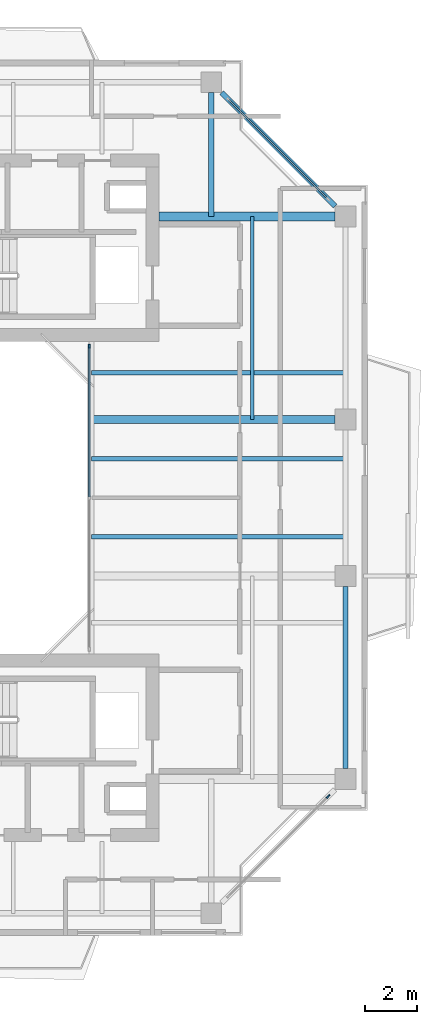
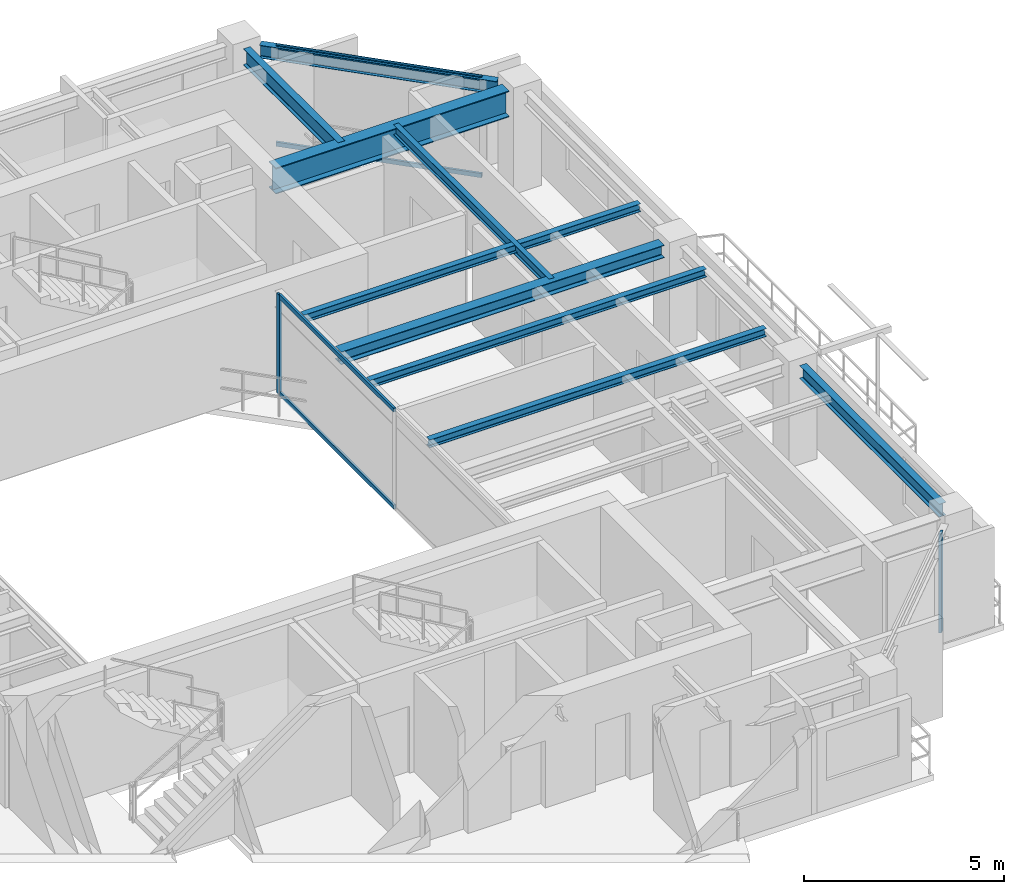
# One storey, part 6 of 16: 9 beams, 6 members, 3 elements without a shape of their own.
"""IFC4 building model written with IfcOpenShell, lengths in metres."""

from ifc_helpers import new_model, si_unit, direction, frame, origin, origin_2d, place, context, subcontext, project, spatial, rectangle, i_section, extrude, source, transform, mapped, material, layer, layer_set, material_profile, profile_set, type_object, element, aggregate, save


model = new_model("IFC4")

# Units and contexts
model_context = context("Model", 3, precision=1e-05, world=origin(), true_north=direction((0.0, 1.0)))
body_context = subcontext(model_context, "Body", "Model", "MODEL_VIEW")
ifc_project = project(units=[si_unit("LENGTHUNIT", "METRE"), si_unit("AREAUNIT", "SQUARE_METRE"), si_unit("VOLUMEUNIT", "CUBIC_METRE"), si_unit("PLANEANGLEUNIT", "RADIAN"), si_unit("MASSUNIT", "GRAM", prefix="KILO"), si_unit("THERMODYNAMICTEMPERATUREUNIT", "KELVIN"), si_unit("POWERUNIT", "WATT")], contexts=[model_context])

# Site, building, storey
site_placement = place(None, origin())
site = spatial("IfcSite", under=ifc_project, at=site_placement, CompositionType="ELEMENT")
building_placement = place(site_placement, origin())
building = spatial("IfcBuilding", under=site, at=building_placement, Name="Qiaomeng Ring Towers", CompositionType="ELEMENT")
storey_placement = place(building_placement, frame((0.0, 0.0, 229.5)))
storey = spatial("IfcBuildingStorey", under=building, at=storey_placement, Name="L67", CompositionType="ELEMENT", Elevation=229.5)

# Beams
ifc_material_1 = material(Name="Steel Q355B", Category="steel")
ifc_material_profile_1 = material_profile(ifc_material_1, i_section(OverallWidth=0.198974609375, OverallDepth=0.39599609375, WebThickness=0.007080078125, FlangeThickness=0.010986328125, FilletRadius=0.01611328125, at=origin_2d()), Name="HN 396x199x7x11")
ifc_profile_set_1 = profile_set([ifc_material_profile_1], Name="Steel Q355B")
beam_type_1 = type_object("IfcBeamType", Name="STR-BM-HN396", PredefinedType="SPANDREL", material=ifc_profile_set_1)
shared_shape_1 = source(origin(), body_context, "Body", "SweptSolid", [
    extrude(i_section(OverallWidth=0.198974609375, OverallDepth=0.39599609375, WebThickness=0.007080078125, FlangeThickness=0.010986328125, FilletRadius=0.01611328125, at=origin_2d()), origin(), (0.0, 0.0, 1.0), 6.154052734375),
])
beam_1_placement = place(storey_placement, frame((34.55078125, 34.19921875, 2.83203125), z_axis=(-0.707106781187, 0.707106781187, 0.0), x_axis=(-0.707106781187, -0.707106781187, 0.0)))
element("IfcBeam", 1, at=beam_1_placement, inside=storey, type_object=beam_type_1, Name="L67 beam STR-SP-L67-T1-E4-N2", PredefinedType="SPANDREL", context=body_context, shape_type="MappedRepresentation", body=[
    mapped(shared_shape_1, transform((0.0, 0.0, 0.0), x_axis=(1.0, 0.0, 0.0), y_axis=(0.0, 1.0, 0.0), z_axis=(0.0, 0.0, 1.0), scale=1.0)),
])
shared_shape_2 = source(origin(), body_context, "Body", "SweptSolid", [
    extrude(i_section(OverallWidth=0.198974609375, OverallDepth=0.39599609375, WebThickness=0.007080078125, FlangeThickness=0.010986328125, FilletRadius=0.01611328125, at=origin_2d()), origin(), (0.0, 0.0, 1.0), 7.001953125),
])
beam_2_placement = place(storey_placement, frame((34.949951171875, 12.59912109375, 2.83203125), z_axis=(0.0, 1.0, 0.0), x_axis=(-1.0, 0.0, 0.0)))
element("IfcBeam", 2, at=beam_2_placement, inside=storey, type_object=beam_type_1, Name="L67 beam STR-SP-L67-T1-E1-E2", PredefinedType="SPANDREL", context=body_context, shape_type="MappedRepresentation", body=[
    mapped(shared_shape_2, transform((0.0, 0.0, 0.0), x_axis=(1.0, 0.0, 0.0), y_axis=(0.0, 1.0, 0.0), z_axis=(0.0, 0.0, 1.0), scale=1.0)),
])
ifc_material_2 = material(Name="Steel Q390GJC", Category="steel")
ifc_material_profile_2 = material_profile(ifc_material_2, i_section(OverallWidth=0.35009765625, OverallDepth=0.800048828125, WebThickness=0.01611328125, FlangeThickness=0.028076171875, at=origin_2d()), Name="WH 800x350x16x28")
ifc_profile_set_2 = profile_set([ifc_material_profile_2], Name="Steel Q390GJC")
beam_type_2 = type_object("IfcBeamType", Name="STR-BM-WH800", PredefinedType="BEAM", material=ifc_profile_set_2)
shared_shape_3 = source(origin(), body_context, "Body", "SweptSolid", [
    extrude(i_section(OverallWidth=0.35009765625, OverallDepth=0.800048828125, WebThickness=0.01611328125, FlangeThickness=0.028076171875, at=origin_2d()), origin(), (0.0, 0.0, 1.0), 6.7509765625),
])
beam_3_placement = place(storey_placement, frame((27.800048828125, 33.800048828125, 2.6298828125), z_axis=(1.0, 0.0, 0.0), x_axis=(0.0, 1.0, 0.0)))
element("IfcBeam", 3, at=beam_3_placement, inside=storey, type_object=beam_type_2, Name="L67 beam STR-BM-L67-T1-RAD-E4", PredefinedType="BEAM", context=body_context, shape_type="MappedRepresentation", body=[
    mapped(shared_shape_3, transform((0.0, 0.0, 0.0), x_axis=(1.0, 0.0, 0.0), y_axis=(0.0, 1.0, 0.0), z_axis=(0.0, 0.0, 1.0), scale=1.0)),
])
ifc_material_profile_3 = material_profile(ifc_material_1, i_section(OverallWidth=0.300048828125, OverallDepth=0.389892578125, WebThickness=0.010009765625, FlangeThickness=0.01611328125, FilletRadius=0.02197265625, at=origin_2d()), Name="HM 390x300x10x16")
ifc_profile_set_3 = profile_set([ifc_material_profile_3], Name="Steel Q355B")
beam_type_3 = type_object("IfcBeamType", Name="STR-BM-HM390", PredefinedType="BEAM", material=ifc_profile_set_3)
shared_shape_4 = source(origin(), body_context, "Body", "SweptSolid", [
    extrude(i_section(OverallWidth=0.300048828125, OverallDepth=0.389892578125, WebThickness=0.010009765625, FlangeThickness=0.01611328125, FilletRadius=0.02197265625, at=origin_2d()), origin(), (0.0, 0.0, 1.0), 9.35107421875),
])
beam_4_placement = place(storey_placement, frame((25.199951171875, 26.0, 2.8349609375), z_axis=(1.0, 0.0, 0.0), x_axis=(0.0, 1.0, 0.0)))
element("IfcBeam", 4, at=beam_4_placement, inside=storey, type_object=beam_type_3, Name="L67 beam STR-BM-L67-T1-RAD-E3", PredefinedType="BEAM", context=body_context, shape_type="MappedRepresentation", body=[
    mapped(shared_shape_4, transform((0.0, 0.0, 0.0), x_axis=(1.0, 0.0, 0.0), y_axis=(0.0, 1.0, 0.0), z_axis=(0.0, 0.0, 1.0), scale=1.0)),
])
ifc_material_profile_4 = material_profile(ifc_material_1, i_section(OverallWidth=0.175048828125, OverallDepth=0.243896484375, WebThickness=0.007080078125, FlangeThickness=0.010986328125, FilletRadius=0.01611328125, at=origin_2d()), Name="HM 244x175x7x11")
ifc_profile_set_4 = profile_set([ifc_material_profile_4], Name="Steel Q355B")
beam_type_4 = type_object("IfcBeamType", Name="STR-BM-HM244", PredefinedType="JOIST", material=ifc_profile_set_4)
shared_shape_5 = source(origin(), body_context, "Body", "SweptSolid", [
    extrude(i_section(OverallWidth=0.175048828125, OverallDepth=0.243896484375, WebThickness=0.007080078125, FlangeThickness=0.010986328125, FilletRadius=0.01611328125, at=origin_2d()), origin(), (0.0, 0.0, 1.0), 9.75),
])
for number, where, z_axis, x_axis, name in (
    (5, (25.199951171875, 21.5, 2.907958984375), (1.0, 0.0, 0.0), (0.0, 1.0, 0.0), "L67 beam STR-JST-L67-T1E-2"),
    (6, (25.199951171875, 24.5, 2.907958984375), (1.0, 0.0, 0.0), (0.0, 1.0, 0.0), "L67 beam STR-JST-L67-T1E-3"),
    (7, (25.199951171875, 27.800048828125, 2.907958984375), (1.0, 0.0, 0.0), (0.0, 1.0, 0.0), "L67 beam STR-JST-L67-T1E-4"),
):
    element("IfcBeam", number, at=place(storey_placement, frame(where, z_axis=z_axis, x_axis=x_axis)), inside=storey, type_object=beam_type_4, Name=name, PredefinedType="JOIST", context=body_context, shape_type="MappedRepresentation", body=[
        mapped(shared_shape_5, transform((0.0, 0.0, 0.0), x_axis=(1.0, 0.0, 0.0), y_axis=(0.0, 1.0, 0.0), z_axis=(0.0, 0.0, 1.0), scale=1.0)),
    ])
ifc_material_profile_5 = material_profile(ifc_material_1, i_section(OverallWidth=0.14990234375, OverallDepth=0.300048828125, WebThickness=0.006591796875, FlangeThickness=0.009033203125, FilletRadius=0.012939453125, at=origin_2d()), Name="HN 300x150x6.5x9")
ifc_profile_set_5 = profile_set([ifc_material_profile_5], Name="Steel Q355B")
beam_type_5 = type_object("IfcBeamType", Name="STR-BM-HN300", PredefinedType="JOIST", material=ifc_profile_set_5)
shared_shape_6 = source(origin(), body_context, "Body", "SweptSolid", [
    extrude(i_section(OverallWidth=0.14990234375, OverallDepth=0.300048828125, WebThickness=0.006591796875, FlangeThickness=0.009033203125, FilletRadius=0.012939453125, at=origin_2d()), origin(), (0.0, 0.0, 1.0), 7.800048828125),
])
beam_5_placement = place(storey_placement, frame((31.375, 26.0, 2.8798828125), z_axis=(0.0, 1.0, 0.0), x_axis=(-1.0, 0.0, 0.0)))
element("IfcBeam", 8, at=beam_5_placement, inside=storey, type_object=beam_type_5, Name="L67 beam STR-JST-L67-T1C-EN", PredefinedType="JOIST", context=body_context, shape_type="MappedRepresentation", body=[
    mapped(shared_shape_6, transform((0.0, 0.0, 0.0), x_axis=(1.0, 0.0, 0.0), y_axis=(0.0, 1.0, 0.0), z_axis=(0.0, 0.0, 1.0), scale=1.0)),
])
ifc_material_profile_6 = material_profile(ifc_material_1, i_section(OverallWidth=0.198974609375, OverallDepth=0.49609375, WebThickness=0.009033203125, FlangeThickness=0.013916015625, FilletRadius=0.01806640625, at=origin_2d()), Name="HN 496x199x9x14")
ifc_profile_set_6 = profile_set([ifc_material_profile_6], Name="Steel Q355B")
beam_type_6 = type_object("IfcBeamType", Name="STR-BM-HN496", PredefinedType="BEAM", material=ifc_profile_set_6)
shared_shape_7 = source(origin(), body_context, "Body", "SweptSolid", [
    extrude(i_section(OverallWidth=0.198974609375, OverallDepth=0.49609375, WebThickness=0.009033203125, FlangeThickness=0.013916015625, FilletRadius=0.01806640625, at=origin_2d()), origin(), (0.0, 0.0, 1.0), 4.7509765625),
])
beam_6_placement = place(storey_placement, frame((29.800048828125, 38.551025390625, 2.781982421875), z_axis=(0.0, -1.0, 0.0), x_axis=(1.0, 0.0, 0.0)))
element("IfcBeam", 9, at=beam_6_placement, inside=storey, type_object=beam_type_6, Name="L67 beam STR-BM-L67-T1-RAD-N2", PredefinedType="BEAM", context=body_context, shape_type="MappedRepresentation", body=[
    mapped(shared_shape_7, transform((0.0, 0.0, 0.0), x_axis=(1.0, 0.0, 0.0), y_axis=(0.0, 1.0, 0.0), z_axis=(0.0, 0.0, 1.0), scale=1.0)),
])

# Curtain wall, members
ifc_material_3 = material(Name="Fluorocarbon dark-grey aluminium", Category="aluminium")
ifc_layer_1 = layer(ifc_material_3, 0.139892578125, Name="Fluorocarbon dark-grey aluminium")
ifc_layer_set_1 = layer_set([ifc_layer_1], Name="Fluorocarbon dark-grey aluminium")
curtain_wall_type_1 = type_object("IfcCurtainWallType", Name="ARC-CW-4", PredefinedType="NOTDEFINED", material=ifc_layer_set_1)
curtain_wall_1_placement = place(storey_placement, origin())
curtain_wall_1 = element("IfcCurtainWall", 10, at=curtain_wall_1_placement, inside=storey, type_object=curtain_wall_type_1, Name="L67 Curtain Wall CW4", PredefinedType="NOTDEFINED")
ifc_material_profile_7 = material_profile(ifc_material_3, rectangle(XDim=0.06494140625, YDim=0.1298828125, at=origin_2d()), Name="ALU TRAN 65x130")
ifc_profile_set_7 = profile_set([ifc_material_profile_7], Name="Fluorocarbon dark-grey aluminium")
member_type_1 = type_object("IfcMemberType", Name="ARC-CWT-120", PredefinedType="USERDEFINED", material=ifc_profile_set_7)
shared_shape_8 = source(origin(), body_context, "Body", "SweptSolid", [
    extrude(rectangle(XDim=0.06494140625, YDim=0.1298828125, at=origin_2d()), origin(), (0.0, 0.0, 1.0), 5.75244140625),
])
member_1_placement = place(storey_placement, frame((25.1201171875, 23.032470703125, 0.032470703125), z_axis=(0.0, 1.0, 0.0), x_axis=(-1.0, 0.0, 0.0)))
member_1 = element("IfcMember", 11, at=member_1_placement, type_object=member_type_1, Name="CW4 transom 2.1", ObjectType="TRANSOM", PredefinedType="USERDEFINED", context=body_context, shape_type="MappedRepresentation", body=[
    mapped(shared_shape_8, transform((0.0, 0.0, 0.0), x_axis=(1.0, 0.0, 0.0), y_axis=(0.0, 1.0, 0.0), z_axis=(0.0, 0.0, 1.0), scale=1.0)),
])
member_2_placement = place(storey_placement, frame((25.1201171875, 23.032470703125, 2.99755859375), z_axis=(0.0, 1.0, 0.0), x_axis=(-1.0, 0.0, 0.0)))
member_2 = element("IfcMember", 12, at=member_2_placement, type_object=member_type_1, Name="CW4 transom 2.2", ObjectType="TRANSOM", PredefinedType="USERDEFINED", context=body_context, shape_type="MappedRepresentation", body=[
    mapped(shared_shape_8, transform((0.0, 0.0, 0.0), x_axis=(1.0, 0.0, 0.0), y_axis=(0.0, 1.0, 0.0), z_axis=(0.0, 0.0, 1.0), scale=1.0)),
])
ifc_material_profile_8 = material_profile(ifc_material_3, rectangle(XDim=0.06494140625, YDim=0.159912109375, at=origin_2d()), Name="ALU MULL 65x160")
ifc_profile_set_8 = profile_set([ifc_material_profile_8], Name="Fluorocarbon dark-grey aluminium")
member_type_2 = type_object("IfcMemberType", Name="ARC-CWM-140", PredefinedType="MULLION", material=ifc_profile_set_8)
shared_shape_9 = source(origin(), body_context, "Body", "SweptSolid", [
    extrude(rectangle(XDim=0.06494140625, YDim=0.159912109375, at=origin_2d()), origin(), (0.0, 0.0, 1.0), 3.030029296875),
])
member_3_placement = place(storey_placement, frame((25.1201171875, 28.8173828125, 0.0), z_axis=(0.0, 0.0, 1.0), x_axis=(-1.0, 0.0, 0.0)))
member_3 = element("IfcMember", 13, at=member_3_placement, type_object=member_type_2, Name="CW4 mullion 3", PredefinedType="MULLION", context=body_context, shape_type="MappedRepresentation", body=[
    mapped(shared_shape_9, transform((0.0, 0.0, 0.0), x_axis=(1.0, 0.0, 0.0), y_axis=(0.0, 1.0, 0.0), z_axis=(0.0, 0.0, 1.0), scale=1.0)),
])
aggregate(curtain_wall_1, [member_3, member_1, member_2])

# Curtain wall, member
ifc_layer_2 = layer(ifc_material_3, 0.14990234375, Name="Fluorocarbon dark-grey aluminium")
ifc_layer_set_2 = layer_set([ifc_layer_2], Name="Fluorocarbon dark-grey aluminium")
curtain_wall_type_2 = type_object("IfcCurtainWallType", Name="ARC-CW-3", PredefinedType="NOTDEFINED", material=ifc_layer_set_2)
curtain_wall_2_placement = place(storey_placement, origin())
curtain_wall_2 = element("IfcCurtainWall", 14, at=curtain_wall_2_placement, inside=storey, type_object=curtain_wall_type_2, Name="L67 Curtain Wall CW3", PredefinedType="NOTDEFINED")
ifc_material_profile_9 = material_profile(ifc_material_3, rectangle(XDim=0.070068359375, YDim=0.179931640625, at=origin_2d()), Name="ALU MULL 70x180")
ifc_profile_set_9 = profile_set([ifc_material_profile_9], Name="Fluorocarbon dark-grey aluminium")
member_type_3 = type_object("IfcMemberType", Name="ARC-CWM-160", PredefinedType="MULLION", material=ifc_profile_set_9)
shared_shape_10 = source(origin(), body_context, "Body", "SweptSolid", [
    extrude(rectangle(XDim=0.070068359375, YDim=0.179931640625, at=origin_2d()), origin(), (0.0, 0.0, 1.0), 3.030029296875),
])
member_4_placement = place(storey_placement, frame((34.28515625, 11.53515625, 0.0), z_axis=(0.0, 0.0, 1.0), x_axis=(-0.707106781187, 0.707106781187, 0.0)))
member_4 = element("IfcMember", 15, at=member_4_placement, type_object=member_type_3, Name="CW3 mullion 2", PredefinedType="MULLION", context=body_context, shape_type="MappedRepresentation", body=[
    mapped(shared_shape_10, transform((0.0, 0.0, 0.0), x_axis=(1.0, 0.0, 0.0), y_axis=(0.0, 1.0, 0.0), z_axis=(0.0, 0.0, 1.0), scale=1.0)),
])
aggregate(curtain_wall_2, [member_4])

# Curtain wall, members
curtain_wall_3_placement = place(storey_placement, origin())
curtain_wall_3 = element("IfcCurtainWall", 16, at=curtain_wall_3_placement, inside=storey, type_object=curtain_wall_type_2, Name="L67 Curtain Wall CW3", PredefinedType="NOTDEFINED")
shared_shape_11 = source(origin(), body_context, "Body", "SweptSolid", [
    extrude(rectangle(XDim=0.06494140625, YDim=0.1298828125, at=origin_2d()), origin(), (0.0, 0.0, 1.0), 5.3330078125),
])
member_5_placement = place(storey_placement, frame((34.260498046875, 34.489501953125, 0.032470703125), z_axis=(-0.707106781187, 0.707106781187, 0.0), x_axis=(-0.707106781187, -0.707106781187, 0.0)))
member_5 = element("IfcMember", 17, at=member_5_placement, type_object=member_type_1, Name="CW3 transom 1.1", ObjectType="TRANSOM", PredefinedType="USERDEFINED", context=body_context, shape_type="MappedRepresentation", body=[
    mapped(shared_shape_11, transform((0.0, 0.0, 0.0), x_axis=(1.0, 0.0, 0.0), y_axis=(0.0, 1.0, 0.0), z_axis=(0.0, 0.0, 1.0), scale=1.0)),
])
member_6_placement = place(storey_placement, frame((34.260498046875, 34.489501953125, 2.99755859375), z_axis=(-0.707106781187, 0.707106781187, 0.0), x_axis=(-0.707106781187, -0.707106781187, 0.0)))
member_6 = element("IfcMember", 18, at=member_6_placement, type_object=member_type_1, Name="CW3 transom 1.2", ObjectType="TRANSOM", PredefinedType="USERDEFINED", context=body_context, shape_type="MappedRepresentation", body=[
    mapped(shared_shape_11, transform((0.0, 0.0, 0.0), x_axis=(1.0, 0.0, 0.0), y_axis=(0.0, 1.0, 0.0), z_axis=(0.0, 0.0, 1.0), scale=1.0)),
])
aggregate(curtain_wall_3, [member_5, member_6])

save(model, "model.ifc")
